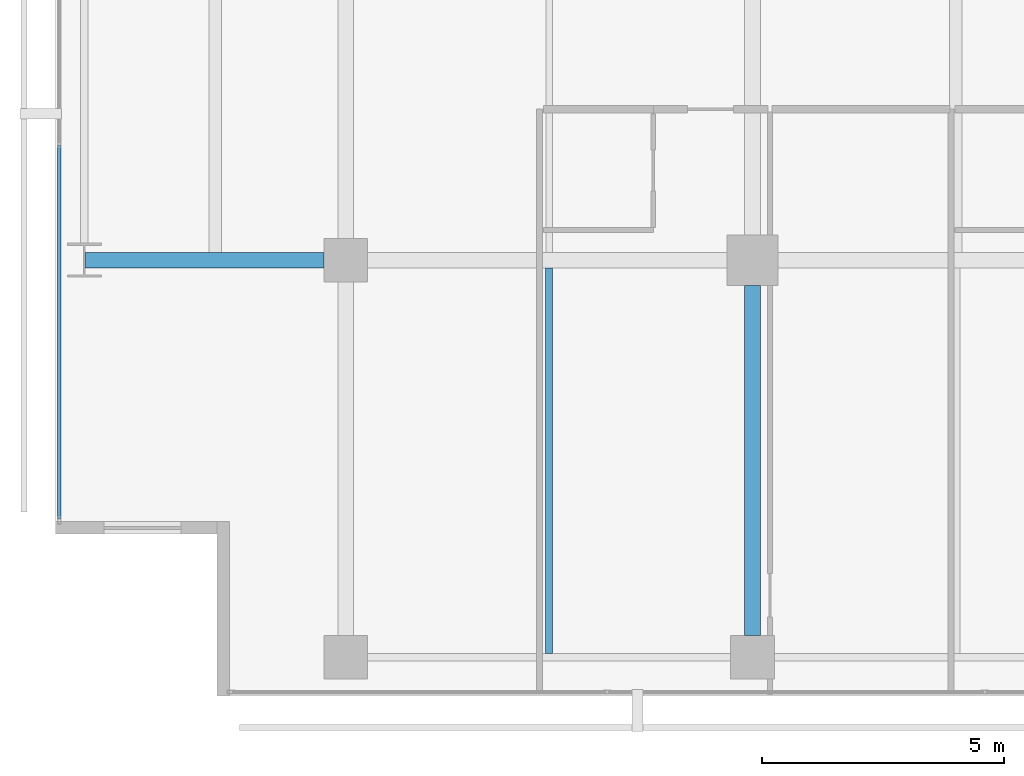
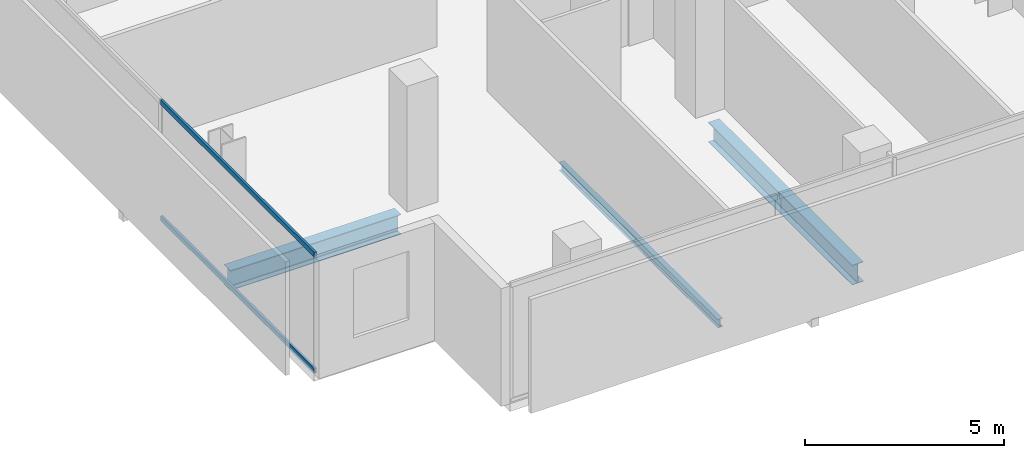
# One storey, part 4 of 40: 3 beams, 2 members, 1 element without a shape of its own.
"""IFC4 building model written with IfcOpenShell, lengths in metres."""

from ifc_helpers import new_model, si_unit, direction, frame, origin, origin_2d, place, context, subcontext, project, spatial, hollow_rectangle, i_section, extrude, material, layer, layer_set, material_profile, profile_set, type_object, element, aggregate, save


model = new_model("IFC4")

# Units and contexts
model_context = context("Model", 3, precision=1e-05, world=origin(), true_north=direction((0.0, 1.0)))
body_context = subcontext(model_context, "Body", "Model", "MODEL_VIEW")
ifc_project = project(units=[si_unit("LENGTHUNIT", "METRE"), si_unit("AREAUNIT", "SQUARE_METRE"), si_unit("VOLUMEUNIT", "CUBIC_METRE"), si_unit("PLANEANGLEUNIT", "RADIAN"), si_unit("MASSUNIT", "GRAM", prefix="KILO")], contexts=[model_context])

# Site, building, storey
site_placement = place(None, origin())
site = spatial("IfcSite", under=ifc_project, at=site_placement, CompositionType="ELEMENT")
building_placement = place(site_placement, origin())
building = spatial("IfcBuilding", under=site, at=building_placement, Name="Maruvema Waterfront Hotel and Observation Tower", CompositionType="ELEMENT")
storey_placement = place(building_placement, frame((0.0, 0.0, 92.39990234375)))
storey = spatial("IfcBuildingStorey", under=building, at=storey_placement, Name="L22", CompositionType="ELEMENT", Elevation=92.39990234375)

# Curtain wall, members
ifc_material_1 = material(Name="Anodised bronze aluminium and solar-control low-E IGU", Category="aluminium")
ifc_layer = layer(ifc_material_1, 0.159912109375, Name="Zone 1 Bronze Inner Thermal Curtain Wall System CW-02")
ifc_layer_set = layer_set([ifc_layer], Name="Anodised bronze aluminium and solar-control low-E IGU")
curtain_wall_type = type_object("IfcCurtainWallType", Name="Zone 1 Bronze Inner Thermal Curtain Wall System CW-02", PredefinedType="USERDEFINED", material=ifc_layer_set)
curtain_wall_placement = place(storey_placement, origin())
curtain_wall = element("IfcCurtainWall", 1, at=curtain_wall_placement, inside=storey, type_object=curtain_wall_type, Name="L22 Curtain Wall CW-L22-W", ObjectType="UNITISED CURTAIN WALL", PredefinedType="USERDEFINED")
ifc_material_2 = material(Name="Anodised architectural bronze aluminium", Category="aluminium")
ifc_material_profile_1 = material_profile(ifc_material_2, hollow_rectangle(XDim=0.070068359375, YDim=0.14990234375, WallThickness=0.00390625, at=origin_2d()), Name="ALU-T70x150")
ifc_profile_set_1 = profile_set([ifc_material_profile_1], Name="Anodised architectural bronze aluminium")
member_type = type_object("IfcMemberType", Name="Curtain Wall Horizontal Transom ALU-T70x150", PredefinedType="USERDEFINED", material=ifc_profile_set_1)
member_1_placement = place(storey_placement, frame((10.8798828125, 11.3701171875, 0.030029296875), z_axis=(0.0, -1.0, 0.0), x_axis=(1.0, 0.0, 0.0)))
member_1 = element("IfcMember", 2, at=member_1_placement, type_object=member_type, Name="CW-02 transom 6.1", ObjectType="TRANSOM", PredefinedType="USERDEFINED", context=body_context, shape_type="SweptSolid", body=[
    extrude(hollow_rectangle(XDim=0.070068359375, YDim=0.14990234375, WallThickness=0.00390625, at=origin_2d()), origin(), (0.0, 0.0, 1.0), 7.710205078125),
])
member_2_placement = place(storey_placement, frame((10.8798828125, 11.3701171875, 3.580078125), z_axis=(0.0, -1.0, 0.0), x_axis=(1.0, 0.0, 0.0)))
member_2 = element("IfcMember", 3, at=member_2_placement, type_object=member_type, Name="CW-02 transom 6.2", ObjectType="TRANSOM", PredefinedType="USERDEFINED", context=body_context, shape_type="SweptSolid", body=[
    extrude(hollow_rectangle(XDim=0.070068359375, YDim=0.14990234375, WallThickness=0.00390625, at=origin_2d()), origin(), (0.0, 0.0, 1.0), 7.710205078125),
])
aggregate(curtain_wall, [member_1, member_2])

# Beams
ifc_material_3 = material(Name="Steel ASTM A572 Grade 50", Category="steel")
ifc_material_profile_2 = material_profile(ifc_material_3, i_section(OverallWidth=0.323974609375, OverallDepth=0.611083984375, WebThickness=0.0126953125, FlangeThickness=0.01904296875, FilletRadius=0.01806640625, at=origin_2d()), Name="W610x155.0")
ifc_profile_set_2 = profile_set([ifc_material_profile_2], Name="Steel ASTM A572 Grade 50")
beam_type_1 = type_object("IfcBeamType", Name="Primary Floor Girder W610x155.0", PredefinedType="BEAM", material=ifc_profile_set_2)
beam_1_placement = place(storey_placement, frame((11.4140625, 9.0, -0.54541015625), z_axis=(1.0, 0.0, 0.0), x_axis=(0.0, 1.0, 0.0)))
element("IfcBeam", 4, at=beam_1_placement, inside=storey, type_object=beam_type_1, Name="L22 Floor Girder EW-06", PredefinedType="BEAM", context=body_context, shape_type="SweptSolid", body=[
    extrude(i_section(OverallWidth=0.323974609375, OverallDepth=0.611083984375, WebThickness=0.0126953125, FlangeThickness=0.01904296875, FilletRadius=0.01806640625, at=origin_2d()), origin(), (0.0, 0.0, 1.0), 4.93603515625),
])
beam_2_placement = place(storey_placement, frame((25.199951171875, 1.25, -0.54541015625), z_axis=(0.0, 1.0, 0.0), x_axis=(-1.0, 0.0, 0.0)))
element("IfcBeam", 5, at=beam_2_placement, inside=storey, type_object=beam_type_1, Name="L22 Floor Girder NS-11", PredefinedType="BEAM", context=body_context, shape_type="SweptSolid", body=[
    extrude(i_section(OverallWidth=0.323974609375, OverallDepth=0.611083984375, WebThickness=0.0126953125, FlangeThickness=0.01904296875, FilletRadius=0.01806640625, at=origin_2d()), origin(), (0.0, 0.0, 1.0), 7.22509765625),
])
ifc_material_4 = material(Name="Steel ASTM A572 Grade 50", Category="steel")
ifc_material_profile_3 = material_profile(ifc_material_4, i_section(OverallWidth=0.14599609375, OverallDepth=0.258056640625, WebThickness=0.006103515625, FlangeThickness=0.009033203125, FilletRadius=0.012939453125, at=origin_2d()), Name="W250x32.7")
ifc_profile_set_3 = profile_set([ifc_material_profile_3], Name="Steel ASTM A572 Grade 50")
beam_type_2 = type_object("IfcBeamType", Name="Secondary Floor Joist W250x32.7", PredefinedType="JOIST", material=ifc_profile_set_3)
beam_3_placement = place(storey_placement, frame((21.0, 0.87646484375, -0.368896484375), z_axis=(0.0, 1.0, 0.0), x_axis=(-1.0, 0.0, 0.0)))
element("IfcBeam", 6, at=beam_3_placement, inside=storey, type_object=beam_type_2, Name="L22 Secondary Floor Joist JS-05", PredefinedType="JOIST", context=body_context, shape_type="SweptSolid", body=[
    extrude(i_section(OverallWidth=0.14599609375, OverallDepth=0.258056640625, WebThickness=0.006103515625, FlangeThickness=0.009033203125, FilletRadius=0.012939453125, at=origin_2d()), origin(), (0.0, 0.0, 1.0), 7.96142578125),
])

save(model, "model.ifc")
